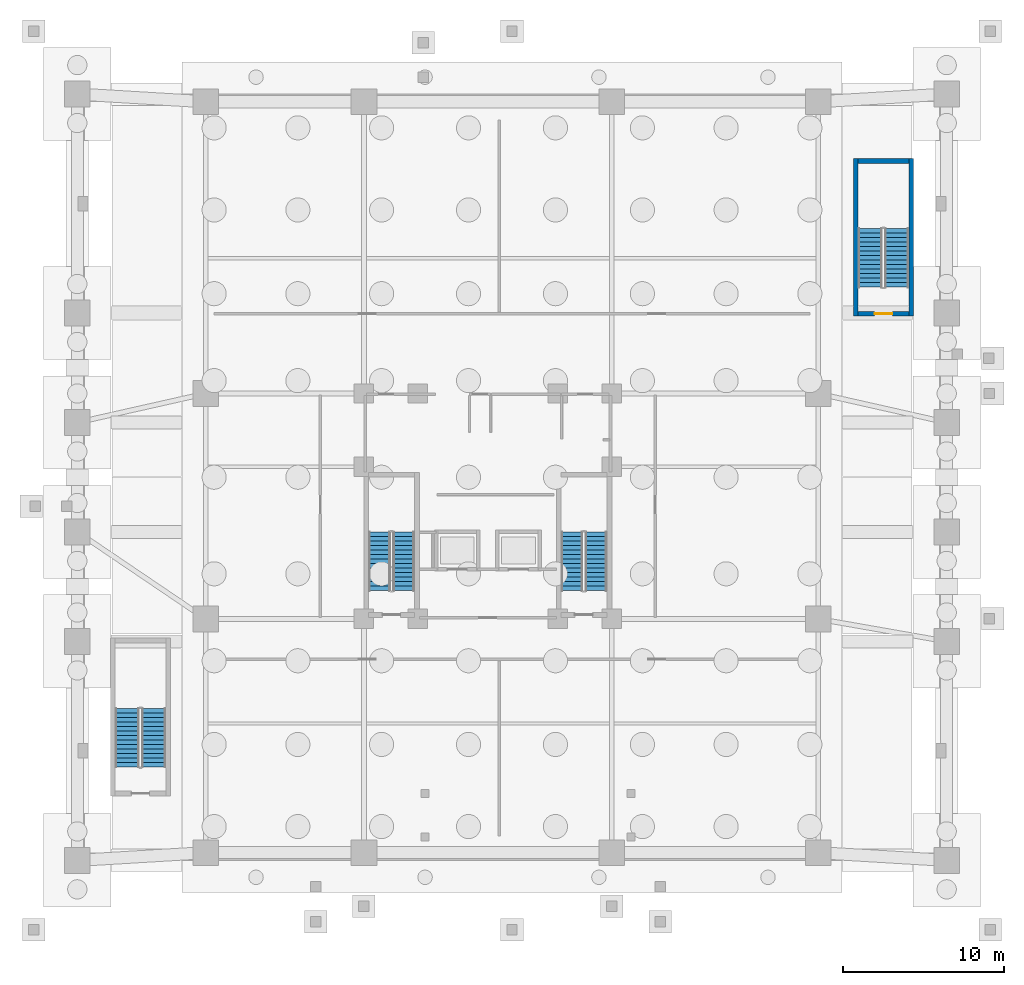
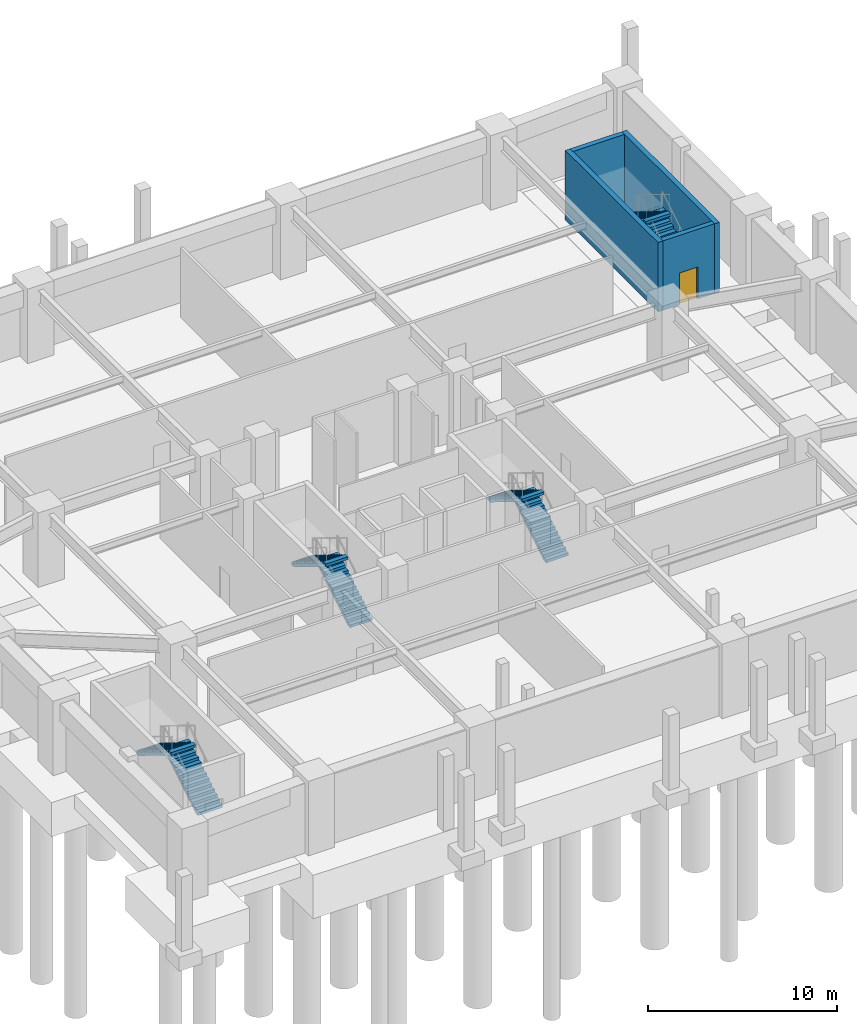
# One storey, part 5 of 8: 8 stair flights, 4 walls, 1 door, 1 opening, 4 elements without a shape of their own.
"""IFC4 building model written with IfcOpenShell, lengths in metres."""

from ifc_helpers import new_model, si_unit, derived_unit, direction, frame, frame_2d, origin, place, context, subcontext, project, spatial, polyline, rectangle, outline, extrude, material, layer, layer_set, type_object, element, fill, aggregate, save


model = new_model("IFC4")

# Units and contexts
model_context = context("Model", 3, precision=1e-05, world=origin(), true_north=direction((0.0, 1.0)))
body_context = subcontext(model_context, "Body", "Model", "MODEL_VIEW")
ifc_project = project(units=[si_unit("LENGTHUNIT", "METRE"), si_unit("AREAUNIT", "SQUARE_METRE"), si_unit("VOLUMEUNIT", "CUBIC_METRE"), si_unit("PLANEANGLEUNIT", "RADIAN"), si_unit("MASSUNIT", "GRAM", prefix="KILO"), derived_unit("THERMALTRANSMITTANCEUNIT", [(si_unit("MASSUNIT", "GRAM", prefix="KILO"), 1), (si_unit("TIMEUNIT", "SECOND"), -3), (si_unit("THERMODYNAMICTEMPERATUREUNIT", "KELVIN"), -1)])], contexts=[model_context])

# Site, building, storey
site_placement = place(None, origin())
site = spatial("IfcSite", under=ifc_project, at=site_placement, CompositionType="ELEMENT")
building_placement = place(site_placement, origin())
building = spatial("IfcBuilding", under=site, at=building_placement, Name="Korrvale Station Residences", CompositionType="ELEMENT")
storey_placement = place(building_placement, frame((0.0, 0.0, -9.60009765625)))
storey = spatial("IfcBuildingStorey", under=building, at=storey_placement, Name="B02", CompositionType="ELEMENT", Elevation=-9.60009765625)

# Walls
ifc_material_1 = material(Name="Concrete C70/85", Category="concrete")
ifc_layer = layer(ifc_material_1, 0.300048828125, Name="Concrete C70/85")
ifc_layer_set = layer_set([ifc_layer], Name="Concrete C70/85")
wall_type = type_object("IfcWallType", Name="WAL-CORE-300-C70", PredefinedType="SHEAR", material=ifc_layer_set)
for number, where, z_axis, x_axis, name in (
    (1, (48.35009765625, 33.800048828125, 0.0), (0.0, 0.0, 1.0), (0.0, 1.0, 0.0), "B02 ST-4 Core Shear Wall West"),
    (2, (51.800048828125, 33.800048828125, 0.0), (0.0, 0.0, 1.0), (0.0, 1.0, 0.0), "B02 ST-4 Core Shear Wall East"),
):
    element("IfcWall", number, at=place(storey_placement, frame(where, z_axis=z_axis, x_axis=x_axis)), inside=storey, type_object=wall_type, Name=name, PredefinedType="SHEAR", context=body_context, shape_type="SweptSolid", body=[
        extrude(rectangle(XDim=9.800048828125, YDim=0.300048828125, at=frame_2d((4.89990234375, 0.0))), origin(), (0.0, 0.0, 1.0), 4.47998046875),
    ])
wall_1_placement = place(storey_placement, frame((48.5, 43.449951171875, 0.0), z_axis=(0.0, 0.0, 1.0), x_axis=(1.0, 0.0, 0.0)))
element("IfcWall", 3, at=wall_1_placement, inside=storey, type_object=wall_type, Name="B02 ST-4 Core Shear Wall North", PredefinedType="SHEAR", context=body_context, shape_type="SweptSolid", body=[
    extrude(rectangle(XDim=3.14990234375, YDim=0.300048828125, at=frame_2d((1.574951171875, 0.0))), origin(), (0.0, 0.0, 1.0), 4.47998046875),
])

# Wall, opening, door
wall_2_placement = place(storey_placement, frame((48.5, 33.949951171875, 0.0), z_axis=(0.0, 0.0, 1.0), x_axis=(1.0, 0.0, 0.0)))
wall_2 = element("IfcWall", 4, at=wall_2_placement, inside=storey, type_object=wall_type, Name="B02 ST-4 Core Shear Wall South", PredefinedType="SHEAR", context=body_context, shape_type="SweptSolid", body=[
    extrude(rectangle(XDim=3.14990234375, YDim=0.300048828125, at=frame_2d((1.574951171875, 0.0))), origin(), (0.0, 0.0, 1.0), 4.47998046875),
])
opening_placement = place(wall_2_placement, frame((1.02001953125, 0.0, 0.0)))
opening = element("IfcOpeningElement", 5, at=opening_placement, cuts=wall_2, Name="Opening SD-1100", PredefinedType="OPENING", context=body_context, shape_type="SweptSolid", body=[
    extrude(rectangle(XDim=1.10009765625, YDim=2.050048828125, at=frame_2d((0.550048828125, 1.02490234375))), frame((0.0, 0.16015625, 0.0), z_axis=(0.0, -1.0, 0.0), x_axis=(1.0, 0.0, 0.0)), (0.0, 0.0, 1.0), 0.320068359375),
])
ifc_material_2 = material(Name="Hollow-metal fire-rated stair door with closer", Category="steel")
door_type = type_object("IfcDoorType", Name="DR-STAIR-1100", OperationType="NOTDEFINED", PredefinedType="DOOR", material=ifc_material_2)
door_placement = place(opening_placement, origin())
door = element("IfcDoor", 6, at=door_placement, inside=storey, type_object=door_type, Name="B02 ST-4 Exit Stair Door", OperationType="SINGLE_SWING_RIGHT", OverallHeight=2.050048828125, OverallWidth=1.10009765625, PredefinedType="DOOR", context=body_context, shape_type="SweptSolid", body=[
    extrude(rectangle(XDim=1.10009765625, YDim=2.050048828125, at=frame_2d((0.550048828125, 1.02490234375))), frame((0.0, 0.02490234375, 0.0), z_axis=(0.0, -1.0, 0.0), x_axis=(1.0, 0.0, 0.0)), (0.0, 0.0, 1.0), 0.050048828125),
])
fill(opening, door)

# Stair, stair flights
ifc_material_3 = material(Name="Concrete C50/60", Category="concrete")
stair_type_1 = type_object("IfcStairType", Name="STR-DL-1350-28R-1714", PredefinedType="HALF_TURN_STAIR", material=ifc_material_3)
stair_1_placement = place(storey_placement, origin())
stair_1 = element("IfcStair", 7, at=stair_1_placement, inside=storey, type_object=stair_type_1, Name="B02 Exit Stair 1", PredefinedType="HALF_TURN_STAIR")
stair_flight_type_1 = type_object("IfcStairFlightType", Name="FLT-DL-1350-28R-1714", PredefinedType="STRAIGHT", material=ifc_material_3)
stair_flight_1_placement = place(storey_placement, frame((20.27490234375, 16.75, 0.0), z_axis=(0.0, 0.0, 1.0), x_axis=(0.0, 1.0, 0.0)))
stair_flight_1 = element("IfcStairFlight", 8, at=stair_flight_1_placement, type_object=stair_flight_type_1, Name="ST-1 flight 1", NumberOfRisers=14, NumberOfTreads=13, PredefinedType="STRAIGHT", RiserHeight=0.171428571, TreadLength=0.28, context=body_context, shape_type="SweptSolid", body=[
    extrude(outline(polyline([(0.0, 0.0), (0.0, 0.17138671875), (0.280029296875, 0.17138671875), (0.280029296875, 0.3427734375), (0.56005859375, 0.3427734375), (0.56005859375, 0.514404296875), (0.840087890625, 0.514404296875), (0.840087890625, 0.685791015625), (1.1201171875, 0.685791015625), (1.1201171875, 0.857177734375), (1.39990234375, 0.857177734375), (1.39990234375, 1.028564453125), (1.679931640625, 1.028564453125), (1.679931640625, 1.199951171875), (1.9599609375, 1.199951171875), (1.9599609375, 1.371337890625), (2.239990234375, 1.371337890625), (2.239990234375, 1.54296875), (2.52001953125, 1.54296875), (2.52001953125, 1.71435546875), (2.800048828125, 1.71435546875), (2.800048828125, 1.8857421875), (3.080078125, 1.8857421875), (3.080078125, 2.05712890625), (3.360107421875, 2.05712890625), (3.360107421875, 2.228515625), (3.639892578125, 2.228515625), (3.639892578125, 2.39990234375), (3.639892578125, 2.052734375), (0.287109375, 0.0), (0.0, 0.0)])), frame((0.0, 0.675048828125, 0.0), z_axis=(0.0, -1.0, 0.0), x_axis=(1.0, 0.0, 0.0)), (0.0, 0.0, 1.0), 1.35009765625),
])
stair_flight_2_placement = place(storey_placement, frame((18.77490234375, 20.389892578125, 2.400146484375), z_axis=(0.0, 0.0, 1.0), x_axis=(0.0, -1.0, 0.0)))
stair_flight_2 = element("IfcStairFlight", 9, at=stair_flight_2_placement, type_object=stair_flight_type_1, Name="ST-1 flight 2", NumberOfRisers=14, NumberOfTreads=13, PredefinedType="STRAIGHT", RiserHeight=0.171428571, TreadLength=0.28, context=body_context, shape_type="SweptSolid", body=[
    extrude(outline(polyline([(0.0, 0.0), (0.0, 0.17138671875), (0.280029296875, 0.17138671875), (0.280029296875, 0.3427734375), (0.56005859375, 0.3427734375), (0.56005859375, 0.514404296875), (0.840087890625, 0.514404296875), (0.840087890625, 0.685791015625), (1.1201171875, 0.685791015625), (1.1201171875, 0.857177734375), (1.39990234375, 0.857177734375), (1.39990234375, 1.028564453125), (1.679931640625, 1.028564453125), (1.679931640625, 1.199951171875), (1.9599609375, 1.199951171875), (1.9599609375, 1.371337890625), (2.239990234375, 1.371337890625), (2.239990234375, 1.54296875), (2.52001953125, 1.54296875), (2.52001953125, 1.71435546875), (2.800048828125, 1.71435546875), (2.800048828125, 1.8857421875), (3.080078125, 1.8857421875), (3.080078125, 2.05712890625), (3.360107421875, 2.05712890625), (3.360107421875, 2.228515625), (3.639892578125, 2.228515625), (3.639892578125, 2.39990234375), (3.639892578125, 2.052734375), (0.287109375, 0.0), (0.0, 0.0)])), frame((0.0, 0.675048828125, 0.0), z_axis=(0.0, -1.0, 0.0), x_axis=(1.0, 0.0, 0.0)), (0.0, 0.0, 1.0), 1.35009765625),
])
aggregate(stair_1, [stair_flight_1, stair_flight_2])

stair_2_placement = place(storey_placement, origin())
stair_2 = element("IfcStair", 10, at=stair_2_placement, inside=storey, type_object=stair_type_1, Name="B02 Exit Stair 2", PredefinedType="HALF_TURN_STAIR")
stair_flight_3_placement = place(storey_placement, frame((32.22509765625, 16.75, 0.0), z_axis=(0.0, 0.0, 1.0), x_axis=(0.0, 1.0, 0.0)))
stair_flight_3 = element("IfcStairFlight", 11, at=stair_flight_3_placement, type_object=stair_flight_type_1, Name="ST-2 flight 1", NumberOfRisers=14, NumberOfTreads=13, PredefinedType="STRAIGHT", RiserHeight=0.171428571, TreadLength=0.28, context=body_context, shape_type="SweptSolid", body=[
    extrude(outline(polyline([(0.0, 0.0), (0.0, 0.17138671875), (0.280029296875, 0.17138671875), (0.280029296875, 0.3427734375), (0.56005859375, 0.3427734375), (0.56005859375, 0.514404296875), (0.840087890625, 0.514404296875), (0.840087890625, 0.685791015625), (1.1201171875, 0.685791015625), (1.1201171875, 0.857177734375), (1.39990234375, 0.857177734375), (1.39990234375, 1.028564453125), (1.679931640625, 1.028564453125), (1.679931640625, 1.199951171875), (1.9599609375, 1.199951171875), (1.9599609375, 1.371337890625), (2.239990234375, 1.371337890625), (2.239990234375, 1.54296875), (2.52001953125, 1.54296875), (2.52001953125, 1.71435546875), (2.800048828125, 1.71435546875), (2.800048828125, 1.8857421875), (3.080078125, 1.8857421875), (3.080078125, 2.05712890625), (3.360107421875, 2.05712890625), (3.360107421875, 2.228515625), (3.639892578125, 2.228515625), (3.639892578125, 2.39990234375), (3.639892578125, 2.052734375), (0.287109375, 0.0), (0.0, 0.0)])), frame((0.0, 0.675048828125, 0.0), z_axis=(0.0, -1.0, 0.0), x_axis=(1.0, 0.0, 0.0)), (0.0, 0.0, 1.0), 1.35009765625),
])
stair_flight_4_placement = place(storey_placement, frame((30.72509765625, 20.389892578125, 2.400146484375), z_axis=(0.0, 0.0, 1.0), x_axis=(0.0, -1.0, 0.0)))
stair_flight_4 = element("IfcStairFlight", 12, at=stair_flight_4_placement, type_object=stair_flight_type_1, Name="ST-2 flight 2", NumberOfRisers=14, NumberOfTreads=13, PredefinedType="STRAIGHT", RiserHeight=0.171428571, TreadLength=0.28, context=body_context, shape_type="SweptSolid", body=[
    extrude(outline(polyline([(0.0, 0.0), (0.0, 0.17138671875), (0.280029296875, 0.17138671875), (0.280029296875, 0.3427734375), (0.56005859375, 0.3427734375), (0.56005859375, 0.514404296875), (0.840087890625, 0.514404296875), (0.840087890625, 0.685791015625), (1.1201171875, 0.685791015625), (1.1201171875, 0.857177734375), (1.39990234375, 0.857177734375), (1.39990234375, 1.028564453125), (1.679931640625, 1.028564453125), (1.679931640625, 1.199951171875), (1.9599609375, 1.199951171875), (1.9599609375, 1.371337890625), (2.239990234375, 1.371337890625), (2.239990234375, 1.54296875), (2.52001953125, 1.54296875), (2.52001953125, 1.71435546875), (2.800048828125, 1.71435546875), (2.800048828125, 1.8857421875), (3.080078125, 1.8857421875), (3.080078125, 2.05712890625), (3.360107421875, 2.05712890625), (3.360107421875, 2.228515625), (3.639892578125, 2.228515625), (3.639892578125, 2.39990234375), (3.639892578125, 2.052734375), (0.287109375, 0.0), (0.0, 0.0)])), frame((0.0, 0.675048828125, 0.0), z_axis=(0.0, -1.0, 0.0), x_axis=(1.0, 0.0, 0.0)), (0.0, 0.0, 1.0), 1.35009765625),
])
aggregate(stair_2, [stair_flight_3, stair_flight_4])

stair_type_2 = type_object("IfcStairType", Name="STR-DL-1500-28R-1714", PredefinedType="HALF_TURN_STAIR", material=ifc_material_3)
stair_3_placement = place(storey_placement, origin())
stair_3 = element("IfcStair", 13, at=stair_3_placement, inside=storey, type_object=stair_type_2, Name="B02 Station Exit Stair 3", PredefinedType="HALF_TURN_STAIR")
stair_flight_type_2 = type_object("IfcStairFlightType", Name="FLT-DL-1500-28R-1714", PredefinedType="STRAIGHT", material=ifc_material_3)
stair_flight_5_placement = place(storey_placement, frame((4.75, 5.800048828125, 0.0), z_axis=(0.0, 0.0, 1.0), x_axis=(0.0, 1.0, 0.0)))
stair_flight_5 = element("IfcStairFlight", 14, at=stair_flight_5_placement, type_object=stair_flight_type_2, Name="ST-3 flight 1", NumberOfRisers=14, NumberOfTreads=13, PredefinedType="STRAIGHT", RiserHeight=0.171428571, TreadLength=0.28, context=body_context, shape_type="SweptSolid", body=[
    extrude(outline(polyline([(0.0, 0.0), (0.0, 0.17138671875), (0.280029296875, 0.17138671875), (0.280029296875, 0.3427734375), (0.56005859375, 0.3427734375), (0.56005859375, 0.514404296875), (0.840087890625, 0.514404296875), (0.840087890625, 0.685791015625), (1.1201171875, 0.685791015625), (1.1201171875, 0.857177734375), (1.39990234375, 0.857177734375), (1.39990234375, 1.028564453125), (1.679931640625, 1.028564453125), (1.679931640625, 1.199951171875), (1.9599609375, 1.199951171875), (1.9599609375, 1.371337890625), (2.239990234375, 1.371337890625), (2.239990234375, 1.54296875), (2.52001953125, 1.54296875), (2.52001953125, 1.71435546875), (2.800048828125, 1.71435546875), (2.800048828125, 1.8857421875), (3.080078125, 1.8857421875), (3.080078125, 2.05712890625), (3.360107421875, 2.05712890625), (3.360107421875, 2.228515625), (3.639892578125, 2.228515625), (3.639892578125, 2.39990234375), (3.639892578125, 2.052734375), (0.287109375, 0.0), (0.0, 0.0)])), frame((0.0, 0.75, 0.0), z_axis=(0.0, -1.0, 0.0), x_axis=(1.0, 0.0, 0.0)), (0.0, 0.0, 1.0), 1.5),
])
stair_flight_6_placement = place(storey_placement, frame((3.10009765625, 9.43994140625, 2.400146484375), z_axis=(0.0, 0.0, 1.0), x_axis=(0.0, -1.0, 0.0)))
stair_flight_6 = element("IfcStairFlight", 15, at=stair_flight_6_placement, type_object=stair_flight_type_2, Name="ST-3 flight 2", NumberOfRisers=14, NumberOfTreads=13, PredefinedType="STRAIGHT", RiserHeight=0.171428571, TreadLength=0.28, context=body_context, shape_type="SweptSolid", body=[
    extrude(outline(polyline([(0.0, 0.0), (0.0, 0.17138671875), (0.280029296875, 0.17138671875), (0.280029296875, 0.3427734375), (0.56005859375, 0.3427734375), (0.56005859375, 0.514404296875), (0.840087890625, 0.514404296875), (0.840087890625, 0.685791015625), (1.1201171875, 0.685791015625), (1.1201171875, 0.857177734375), (1.39990234375, 0.857177734375), (1.39990234375, 1.028564453125), (1.679931640625, 1.028564453125), (1.679931640625, 1.199951171875), (1.9599609375, 1.199951171875), (1.9599609375, 1.371337890625), (2.239990234375, 1.371337890625), (2.239990234375, 1.54296875), (2.52001953125, 1.54296875), (2.52001953125, 1.71435546875), (2.800048828125, 1.71435546875), (2.800048828125, 1.8857421875), (3.080078125, 1.8857421875), (3.080078125, 2.05712890625), (3.360107421875, 2.05712890625), (3.360107421875, 2.228515625), (3.639892578125, 2.228515625), (3.639892578125, 2.39990234375), (3.639892578125, 2.052734375), (0.287109375, 0.0), (0.0, 0.0)])), frame((0.0, 0.75, 0.0), z_axis=(0.0, -1.0, 0.0), x_axis=(1.0, 0.0, 0.0)), (0.0, 0.0, 1.0), 1.5),
])
aggregate(stair_3, [stair_flight_5, stair_flight_6])

stair_4_placement = place(storey_placement, origin())
stair_4 = element("IfcStair", 16, at=stair_4_placement, inside=storey, type_object=stair_type_2, Name="B02 Station Exit Stair 4", PredefinedType="HALF_TURN_STAIR")
stair_flight_7_placement = place(storey_placement, frame((50.89990234375, 35.60009765625, 0.0), z_axis=(0.0, 0.0, 1.0), x_axis=(0.0, 1.0, 0.0)))
stair_flight_7 = element("IfcStairFlight", 17, at=stair_flight_7_placement, type_object=stair_flight_type_2, Name="ST-4 flight 1", NumberOfRisers=14, NumberOfTreads=13, PredefinedType="STRAIGHT", RiserHeight=0.171428571, TreadLength=0.28, context=body_context, shape_type="SweptSolid", body=[
    extrude(outline(polyline([(0.0, 0.0), (0.0, 0.17138671875), (0.280029296875, 0.17138671875), (0.280029296875, 0.3427734375), (0.56005859375, 0.3427734375), (0.56005859375, 0.514404296875), (0.840087890625, 0.514404296875), (0.840087890625, 0.685791015625), (1.1201171875, 0.685791015625), (1.1201171875, 0.857177734375), (1.39990234375, 0.857177734375), (1.39990234375, 1.028564453125), (1.679931640625, 1.028564453125), (1.679931640625, 1.199951171875), (1.9599609375, 1.199951171875), (1.9599609375, 1.371337890625), (2.239990234375, 1.371337890625), (2.239990234375, 1.54296875), (2.52001953125, 1.54296875), (2.52001953125, 1.71435546875), (2.800048828125, 1.71435546875), (2.800048828125, 1.8857421875), (3.080078125, 1.8857421875), (3.080078125, 2.05712890625), (3.360107421875, 2.05712890625), (3.360107421875, 2.228515625), (3.639892578125, 2.228515625), (3.639892578125, 2.39990234375), (3.639892578125, 2.052734375), (0.287109375, 0.0), (0.0, 0.0)])), frame((0.0, 0.75, 0.0), z_axis=(0.0, -1.0, 0.0), x_axis=(1.0, 0.0, 0.0)), (0.0, 0.0, 1.0), 1.5),
])
stair_flight_8_placement = place(storey_placement, frame((49.25, 39.239990234375, 2.400146484375), z_axis=(0.0, 0.0, 1.0), x_axis=(0.0, -1.0, 0.0)))
stair_flight_8 = element("IfcStairFlight", 18, at=stair_flight_8_placement, type_object=stair_flight_type_2, Name="ST-4 flight 2", NumberOfRisers=14, NumberOfTreads=13, PredefinedType="STRAIGHT", RiserHeight=0.171428571, TreadLength=0.28, context=body_context, shape_type="SweptSolid", body=[
    extrude(outline(polyline([(0.0, 0.0), (0.0, 0.17138671875), (0.280029296875, 0.17138671875), (0.280029296875, 0.3427734375), (0.56005859375, 0.3427734375), (0.56005859375, 0.514404296875), (0.840087890625, 0.514404296875), (0.840087890625, 0.685791015625), (1.1201171875, 0.685791015625), (1.1201171875, 0.857177734375), (1.39990234375, 0.857177734375), (1.39990234375, 1.028564453125), (1.679931640625, 1.028564453125), (1.679931640625, 1.199951171875), (1.9599609375, 1.199951171875), (1.9599609375, 1.371337890625), (2.239990234375, 1.371337890625), (2.239990234375, 1.54296875), (2.52001953125, 1.54296875), (2.52001953125, 1.71435546875), (2.800048828125, 1.71435546875), (2.800048828125, 1.8857421875), (3.080078125, 1.8857421875), (3.080078125, 2.05712890625), (3.360107421875, 2.05712890625), (3.360107421875, 2.228515625), (3.639892578125, 2.228515625), (3.639892578125, 2.39990234375), (3.639892578125, 2.052734375), (0.287109375, 0.0), (0.0, 0.0)])), frame((0.0, 0.75, 0.0), z_axis=(0.0, -1.0, 0.0), x_axis=(1.0, 0.0, 0.0)), (0.0, 0.0, 1.0), 1.5),
])
aggregate(stair_4, [stair_flight_7, stair_flight_8])

save(model, "model.ifc")
